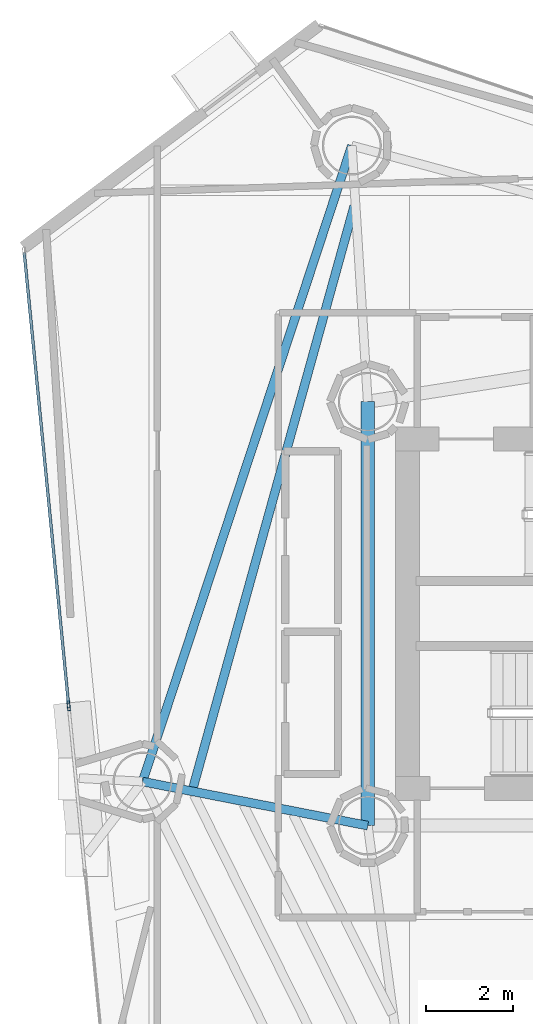
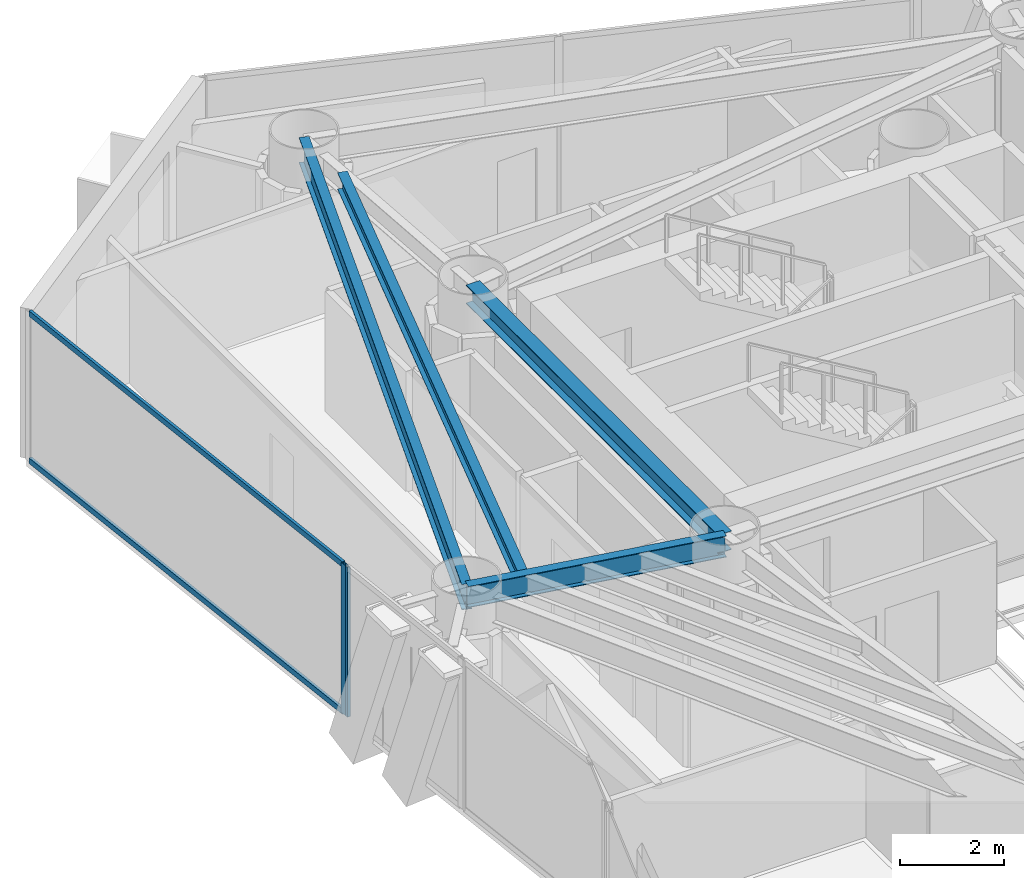
# One storey, part 9 of 22: 4 beams, 4 members, 2 elements without a shape of their own.
"""IFC4 building model written with IfcOpenShell, lengths in metres."""

from ifc_helpers import new_model, si_unit, direction, frame, origin, origin_2d, place, context, subcontext, project, spatial, hollow_rectangle, i_section, extrude, material, layer, layer_set, material_profile, profile_set, type_object, element, aggregate, save


model = new_model("IFC4")

# Units and contexts
model_context = context("Model", 3, precision=1e-05, world=origin(), true_north=direction((0.0, 1.0)))
body_context = subcontext(model_context, "Body", "Model", "MODEL_VIEW")
ifc_project = project(units=[si_unit("LENGTHUNIT", "METRE"), si_unit("AREAUNIT", "SQUARE_METRE"), si_unit("VOLUMEUNIT", "CUBIC_METRE"), si_unit("PLANEANGLEUNIT", "RADIAN"), si_unit("MASSUNIT", "GRAM", prefix="KILO")], contexts=[model_context])

# Site, building, storey
site_placement = place(None, origin())
site = spatial("IfcSite", under=ifc_project, at=site_placement, CompositionType="ELEMENT")
building_placement = place(site_placement, origin())
building = spatial("IfcBuilding", under=site, at=building_placement, Name="Qianvela Tower", CompositionType="ELEMENT")
storey_placement = place(building_placement, frame((0.0, 0.0, 169.800048828125)))
storey = spatial("IfcBuildingStorey", under=building, at=storey_placement, Name="L43", CompositionType="ELEMENT", Elevation=169.800048828125)

# Beams
ifc_material_1 = material(Name="Steel Q355B", Category="steel")
ifc_material_profile_1 = material_profile(ifc_material_1, i_section(OverallWidth=0.300048828125, OverallDepth=0.43994140625, WebThickness=0.010986328125, FlangeThickness=0.01806640625, at=origin_2d()), Name="HM440x300x11x18")
ifc_profile_set_1 = profile_set([ifc_material_profile_1], Name="Steel Q355B")
beam_type_1 = type_object("IfcBeamType", Name="BM-HM440-COLL", PredefinedType="BEAM", material=ifc_profile_set_1)
beam_1_placement = place(storey_placement, frame((28.60009765625, 33.550048828125, 3.2978515625), z_axis=(0.0, -1.0, 0.0), x_axis=(1.0, 0.0, 0.0)))
element("IfcBeam", 1, at=beam_1_placement, inside=storey, type_object=beam_type_1, Name="L43 Core Ring Collector Girder CC2", PredefinedType="BEAM", context=body_context, shape_type="SweptSolid", body=[
    extrude(i_section(OverallWidth=0.300048828125, OverallDepth=0.43994140625, WebThickness=0.010986328125, FlangeThickness=0.01806640625, at=origin_2d()), origin(), (0.0, 0.0, 1.0), 9.699951171875),
])
ifc_material_2 = material(Name="Steel Q355B", Category="steel")
ifc_material_profile_2 = material_profile(ifc_material_2, i_section(OverallWidth=0.199951171875, OverallDepth=0.39990234375, WebThickness=0.008056640625, FlangeThickness=0.012939453125, at=origin_2d()), Name="HN400x200x8x13")
ifc_profile_set_2 = profile_set([ifc_material_profile_2], Name="Steel Q355B")
beam_type_2 = type_object("IfcBeamType", Name="BM-HN400-JOIST", PredefinedType="JOIST", material=ifc_profile_set_2)
beam_2_placement = place(storey_placement, frame((28.289794921875, 38.029052734375, 3.31787109375), z_axis=(-0.266971346744, -0.963704467157, 0.0), x_axis=(0.963704467157, -0.266971346744, 0.0)))
element("IfcBeam", 2, at=beam_2_placement, inside=storey, type_object=beam_type_2, Name="L43 Secondary Composite Floor Joist 3.3", PredefinedType="JOIST", context=body_context, shape_type="SweptSolid", body=[
    extrude(i_section(OverallWidth=0.199951171875, OverallDepth=0.39990234375, WebThickness=0.008056640625, FlangeThickness=0.012939453125, at=origin_2d()), origin(), (0.0, 0.0, 1.0), 13.800537109375),
])
ifc_material_3 = material(Name="Steel Q355B", Category="steel")
ifc_material_profile_3 = material_profile(ifc_material_3, i_section(OverallWidth=0.199951171875, OverallDepth=0.5, WebThickness=0.010009765625, FlangeThickness=0.01611328125, at=origin_2d()), Name="HN500x200x10x16")
ifc_profile_set_3 = profile_set([ifc_material_profile_3], Name="Steel Q355B")
beam_type_3 = type_object("IfcBeamType", Name="BM-HN500-GIRD", PredefinedType="BEAM", material=ifc_profile_set_3)
beam_3_placement = place(storey_placement, frame((28.60009765625, 23.85009765625, 3.26806640625), z_axis=(-0.98137875074, 0.192082658238, 0.0), x_axis=(-0.192082658238, -0.98137875074, 0.0)))
element("IfcBeam", 3, at=beam_3_placement, inside=storey, type_object=beam_type_3, Name="L43 Radial Primary Floor Girder 4", PredefinedType="BEAM", context=body_context, shape_type="SweptSolid", body=[
    extrude(i_section(OverallWidth=0.199951171875, OverallDepth=0.5, WebThickness=0.010009765625, FlangeThickness=0.01611328125, at=origin_2d()), origin(), (0.0, 0.0, 1.0), 5.251953125),
])
ifc_material_4 = material(Name="Steel Q355B", Category="steel")
ifc_material_profile_4 = material_profile(ifc_material_4, i_section(OverallWidth=0.199951171875, OverallDepth=0.60009765625, WebThickness=0.010986328125, FlangeThickness=0.01708984375, at=origin_2d()), Name="HN600x200x11x17")
ifc_profile_set_4 = profile_set([ifc_material_profile_4], Name="Steel Q355B")
beam_type_4 = type_object("IfcBeamType", Name="BM-HN600-GIRD", PredefinedType="BEAM", material=ifc_profile_set_4)
beam_4_placement = place(storey_placement, frame((28.235107421875, 39.410888671875, 3.218017578125), z_axis=(-0.312606332657, -0.949882772126, 0.0), x_axis=(0.949882772126, -0.312606332657, 0.0)))
element("IfcBeam", 4, at=beam_4_placement, inside=storey, type_object=beam_type_4, Name="L43 Perimeter Ring Spandrel Girder 3", PredefinedType="BEAM", context=body_context, shape_type="SweptSolid", body=[
    extrude(i_section(OverallWidth=0.199951171875, OverallDepth=0.60009765625, WebThickness=0.010986328125, FlangeThickness=0.01708984375, at=origin_2d()), origin(), (0.0, 0.0, 1.0), 15.31982421875),
])

# Curtain wall, member
ifc_material_5 = material(Name="Anodised Architectural Aluminium and Insulated Spandrel Panel", Category="aluminium")
ifc_layer_1 = layer(ifc_material_5, 0.179931640625)
ifc_layer_set_1 = layer_set([ifc_layer_1], Name="Anodised Architectural Aluminium and Insulated Spandrel Panel")
curtain_wall_type_1 = type_object("IfcCurtainWallType", Name="CW-BRACEBAY", PredefinedType="USERDEFINED", material=ifc_layer_set_1)
curtain_wall_1_placement = place(storey_placement, origin())
curtain_wall_1 = element("IfcCurtainWall", 5, at=curtain_wall_1_placement, inside=storey, type_object=curtain_wall_type_1, Name="L43 CW-BRACEBAY Curtain Wall 04B", ObjectType="CURTAIN_WALL_SYSTEM", PredefinedType="USERDEFINED")
ifc_material_6 = material(Name="Anodised Architectural Aluminium 6063-T6", Category="aluminium")
ifc_material_profile_5 = material_profile(ifc_material_6, hollow_rectangle(XDim=0.06494140625, YDim=0.159912109375, WallThickness=0.0048828125, at=origin_2d()), Name="ALU-MULL-65x160")
ifc_profile_set_5 = profile_set([ifc_material_profile_5], Name="Anodised Architectural Aluminium 6063-T6")
member_type_1 = type_object("IfcMemberType", Name="CW-BRACEBAY-MULL", PredefinedType="MULLION", material=ifc_profile_set_5)
member_1_placement = place(storey_placement, frame((21.7587890625, 26.560791015625, 0.0), z_axis=(0.0, 0.0, 1.0), x_axis=(0.995227985303, 0.097576930003, 0.0)))
member_1 = element("IfcMember", 6, at=member_1_placement, type_object=member_type_1, Name="CW-9 mullion 1", PredefinedType="MULLION", context=body_context, shape_type="SweptSolid", body=[
    extrude(hollow_rectangle(XDim=0.06494140625, YDim=0.159912109375, WallThickness=0.0048828125, at=origin_2d()), origin(), (0.0, 0.0, 1.0), 3.52001953125),
])
aggregate(curtain_wall_1, [member_1])

# Curtain wall, members
ifc_material_7 = material(Name="Anodised Architectural Aluminium and Low-E Glass", Category="aluminium")
ifc_layer_2 = layer(ifc_material_7, 0.169921875)
ifc_layer_set_2 = layer_set([ifc_layer_2], Name="Anodised Architectural Aluminium and Low-E Glass")
curtain_wall_type_2 = type_object("IfcCurtainWallType", Name="CW-COLIV-Z34", PredefinedType="USERDEFINED", material=ifc_layer_set_2)
curtain_wall_2_placement = place(storey_placement, origin())
curtain_wall_2 = element("IfcCurtainWall", 7, at=curtain_wall_2_placement, inside=storey, type_object=curtain_wall_type_2, Name="L43 CW-COLIV-Z34 Curtain Wall 04A", ObjectType="CURTAIN_WALL_SYSTEM", PredefinedType="USERDEFINED")
ifc_material_8 = material(Name="Anodised Architectural Aluminium 6063-T6", Category="aluminium")
ifc_material_profile_6 = material_profile(ifc_material_8, hollow_rectangle(XDim=0.06494140625, YDim=0.159912109375, WallThickness=0.0048828125, at=origin_2d()), Name="ALU-MULL-65x160")
ifc_profile_set_6 = profile_set([ifc_material_profile_6], Name="Anodised Architectural Aluminium 6063-T6")
member_type_2 = type_object("IfcMemberType", Name="CW-COLIV-Z34-MULL", PredefinedType="MULLION", material=ifc_profile_set_6)
member_2_placement = place(storey_placement, frame((21.75244140625, 26.62548828125, 0.0), z_axis=(0.0, 0.0, 1.0), x_axis=(0.99522685508, 0.09758845694, 0.0)))
member_2 = element("IfcMember", 8, at=member_2_placement, type_object=member_type_2, Name="CW-4 mullion 2", PredefinedType="MULLION", context=body_context, shape_type="SweptSolid", body=[
    extrude(hollow_rectangle(XDim=0.06494140625, YDim=0.159912109375, WallThickness=0.0048828125, at=origin_2d()), origin(), (0.0, 0.0, 1.0), 3.52001953125),
])
ifc_material_9 = material(Name="Anodised Architectural Aluminium 6063-T6", Category="aluminium")
ifc_material_profile_7 = material_profile(ifc_material_9, hollow_rectangle(XDim=0.06494140625, YDim=0.1298828125, WallThickness=0.00439453125, at=origin_2d()), Name="ALU-TRAN-65x130")
ifc_profile_set_7 = profile_set([ifc_material_profile_7], Name="Anodised Architectural Aluminium 6063-T6")
member_type_3 = type_object("IfcMemberType", Name="CW-COLIV-Z34-TRAN", PredefinedType="USERDEFINED", material=ifc_profile_set_7)
member_3_placement = place(storey_placement, frame((20.738037109375, 36.968505859375, 0.032470703125), z_axis=(0.097608953124, -0.995224845083, 0.0), x_axis=(0.995224845083, 0.097608953124, 0.0)))
member_3 = element("IfcMember", 9, at=member_3_placement, type_object=member_type_3, Name="CW-4 transom 1.1", ObjectType="TRANSOM", PredefinedType="USERDEFINED", context=body_context, shape_type="SweptSolid", body=[
    extrude(hollow_rectangle(XDim=0.06494140625, YDim=0.1298828125, WallThickness=0.00439453125, at=origin_2d()), origin(), (0.0, 0.0, 1.0), 10.360107421875),
])
member_4_placement = place(storey_placement, frame((20.738037109375, 36.968505859375, 3.487548828125), z_axis=(0.097608953124, -0.995224845083, 0.0), x_axis=(0.995224845083, 0.097608953124, 0.0)))
member_4 = element("IfcMember", 10, at=member_4_placement, type_object=member_type_3, Name="CW-4 transom 1.2", ObjectType="TRANSOM", PredefinedType="USERDEFINED", context=body_context, shape_type="SweptSolid", body=[
    extrude(hollow_rectangle(XDim=0.06494140625, YDim=0.1298828125, WallThickness=0.00439453125, at=origin_2d()), origin(), (0.0, 0.0, 1.0), 10.360107421875),
])
aggregate(curtain_wall_2, [member_2, member_3, member_4])

save(model, "model.ifc")
